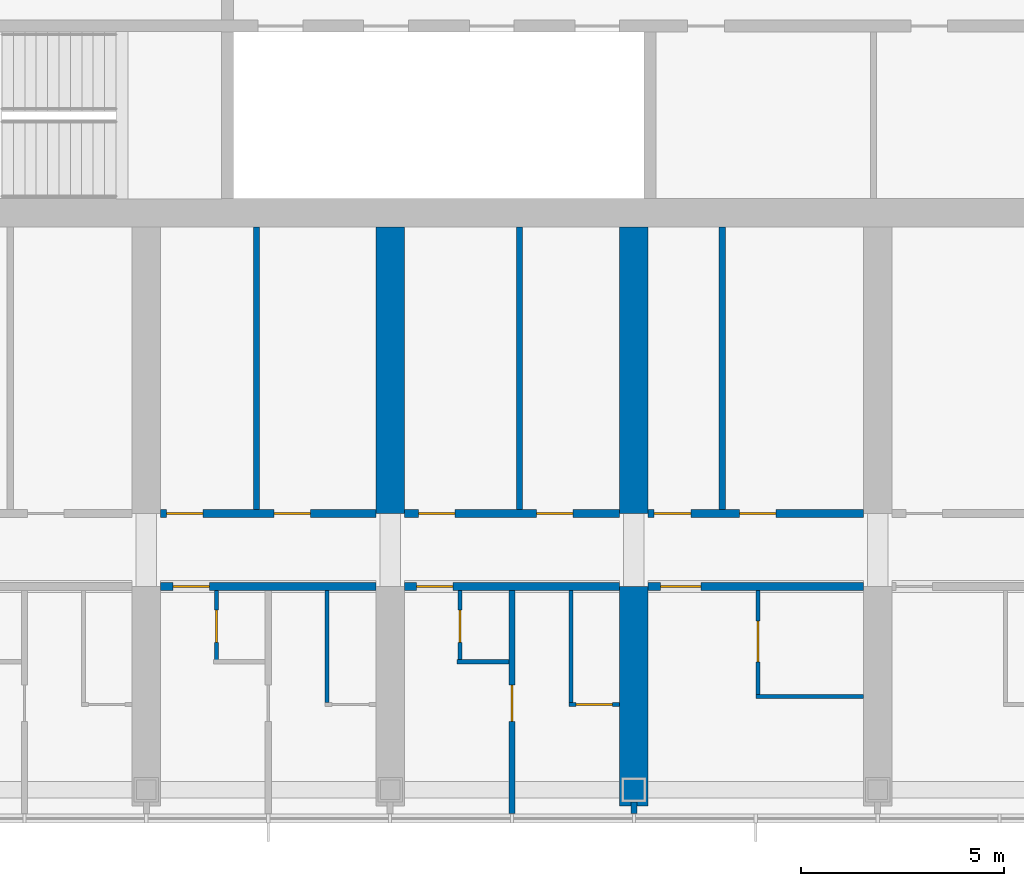
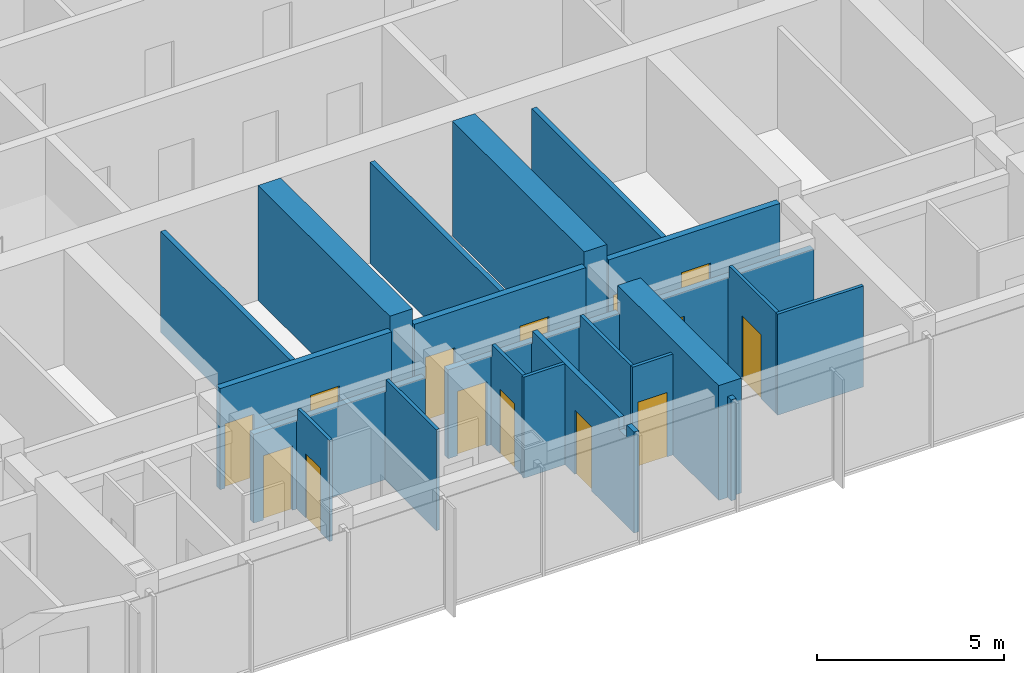
# One storey, part 11 of 24: 22 walls, 14 doors, 14 openings.
"""IFC4 building model written with IfcOpenShell, lengths in metres."""

import ifcopenshell
import ifcopenshell.guid

model = None  # the IFC model being written
_history = None  # IfcOwnerHistory: only IFC2X3 demands one
_inside = {}  # id of a spatial element -> (the spatial element, [elements in it])
_under = {}  # id of a project, library or spatial element -> (it, [spatial elements below it])
_declared = {}  # id of a project -> (the project, [libraries it declares])
_typed = {}  # id of a type object -> (the type object, [elements of that type])
_made_of = {}  # id of a material, layer set ... -> (it, [elements and type objects made of it])


def new_model(schema):
    """Start an empty IFC model of exactly this schema.

    Asked for "IFC4X3", IfcOpenShell would pick the latest addendum, in which some entities
    have other attributes; the version numbers below select the first issue.
    IFC2X3 requires an IfcOwnerHistory on every rooted entity: one is made here for all.
    """
    global model, _history
    if schema == "IFC4X3":
        model = ifcopenshell.file(schema_version=(4, 3, 0, 0))
    else:
        model = ifcopenshell.file(schema=schema)
    _inside.clear()
    _under.clear()
    _declared.clear()
    _typed.clear()
    _made_of.clear()
    _history = None
    if model.schema == "IFC2X3":
        org = make("IfcOrganization", Name="unknown")
        user = make(
            "IfcPersonAndOrganization",
            ThePerson=make("IfcPerson", FamilyName="unknown"),
            TheOrganization=org,
        )
        app = make(
            "IfcApplication",
            ApplicationDeveloper=org,
            Version="unknown",
            ApplicationFullName="unknown",
            ApplicationIdentifier="unknown",
        )
        _history = make(
            "IfcOwnerHistory",
            OwningUser=user,
            OwningApplication=app,
            ChangeAction="ADDED",
            CreationDate=0,
        )
    return model


def make(cls, **values):
    """One entity of the class cls with the attributes given. An attribute that is None is left unset."""
    return model.create_entity(
        cls, **{name: value for name, value in values.items() if value is not None}
    )


def rooted(cls, **values):
    """An entity with a GlobalId (a new one), such as an element, a storey or a relation."""
    return make(cls, GlobalId=ifcopenshell.guid.new(), OwnerHistory=_history, **values)


def si_unit(unit_type, name, prefix=None):
    """IfcSIUnit, for example si_unit("LENGTHUNIT", "METRE", prefix="MILLI")."""
    return make("IfcSIUnit", UnitType=unit_type, Prefix=prefix, Name=name)


def assignment(units):
    """IfcUnitAssignment: the units of a project."""
    return None if units is None else make("IfcUnitAssignment", Units=units)


def point(xyz):
    """IfcCartesianPoint."""
    return None if xyz is None else make("IfcCartesianPoint", Coordinates=xyz)


def direction(xyz):
    """IfcDirection."""
    return None if xyz is None else make("IfcDirection", DirectionRatios=xyz)


def frame(location, z_axis=None, x_axis=None):
    """IfcAxis2Placement3D, a coordinate frame: its origin and axes. An axis left out is left unset."""
    return make(
        "IfcAxis2Placement3D",
        Location=point(location),
        Axis=direction(z_axis),
        RefDirection=direction(x_axis),
    )


def frame_2d(location, x_axis=None):
    """IfcAxis2Placement2D, a coordinate frame in the plane: its origin and x axis."""
    return make(
        "IfcAxis2Placement2D", Location=point(location), RefDirection=direction(x_axis)
    )


def origin():
    """The frame at (0, 0, 0) with its axes left unset."""
    return frame((0.0, 0.0, 0.0))


def place(relative_to, where):
    """IfcLocalPlacement: puts the frame where relative to a parent placement (None: the world)."""
    return make(
        "IfcLocalPlacement", PlacementRelTo=relative_to, RelativePlacement=where
    )


def context(
    kind, dimensions, precision=None, world=None, true_north=None, identifier=None
):
    """IfcGeometricRepresentationContext, for example the 3D "Model" context."""
    return make(
        "IfcGeometricRepresentationContext",
        ContextIdentifier=identifier,
        ContextType=kind,
        CoordinateSpaceDimension=dimensions,
        Precision=precision,
        WorldCoordinateSystem=world,
        TrueNorth=true_north,
    )


def subcontext(parent, identifier, kind, view, scale=None):
    """IfcGeometricRepresentationSubContext, for example "Body" below "Model"."""
    return make(
        "IfcGeometricRepresentationSubContext",
        ContextIdentifier=identifier,
        ContextType=kind,
        ParentContext=parent,
        TargetScale=scale,
        TargetView=view,
    )


def project(units=None, contexts=None):
    """IfcProject with its units and contexts."""
    return rooted(
        "IfcProject",
        Name="project",
        RepresentationContexts=contexts,
        UnitsInContext=assignment(units),
    )


def spatial(cls, under=None, at=None, **own):
    """A site, building, storey or space (cls), placed at a placement, below another one or the project."""
    s = rooted(cls, ObjectPlacement=at, **own)
    if under is not None:
        _under.setdefault(under.id(), (under, []))[1].append(s)
    return s


def polyline(points):
    """IfcPolyline through the points."""
    return make("IfcPolyline", Points=[point(p) for p in points])


def profile(cls, at=None, kind="AREA", **sizes):
    """A parametric profile (cls). Its sizes go by their IFC names, for example OverallWidth=200.0."""
    return make(cls, ProfileType=kind, Position=at, **sizes)


def rectangle(**sizes):
    """IfcRectangleProfileDef."""
    return profile("IfcRectangleProfileDef", **sizes)


def outline(outer, holes=None, kind="AREA"):
    """IfcArbitraryClosedProfileDef: a profile drawn as a closed curve; with holes, ...WithVoids."""
    if holes is None:
        return make("IfcArbitraryClosedProfileDef", ProfileType=kind, OuterCurve=outer)
    return make(
        "IfcArbitraryProfileDefWithVoids",
        ProfileType=kind,
        OuterCurve=outer,
        InnerCurves=holes,
    )


def extrude(swept, where, along, depth):
    """IfcExtrudedAreaSolid: the profile swept, set in the frame where, extruded along a direction by depth."""
    return make(
        "IfcExtrudedAreaSolid",
        SweptArea=swept,
        Position=where,
        ExtrudedDirection=direction(along),
        Depth=depth,
    )


def shape(context_of_items, identifier, shape_type, items):
    """IfcShapeRepresentation: the items that make up one representation, for example the "Body"."""
    return make(
        "IfcShapeRepresentation",
        ContextOfItems=context_of_items,
        RepresentationIdentifier=identifier,
        RepresentationType=shape_type,
        Items=items,
    )


def material(Name=None, Category=None):
    """IfcMaterial."""
    return make("IfcMaterial", Name=Name, Category=Category)


def layer(
    of_material, thickness, ventilated=None, Name=None, Category=None, Priority=None
):
    """IfcMaterialLayer: one layer of a wall or slab, of a material (None: an air gap)."""
    return make(
        "IfcMaterialLayer",
        Material=of_material,
        LayerThickness=thickness,
        IsVentilated=ventilated,
        Name=Name,
        Category=Category,
        Priority=Priority,
    )


def layer_set(layers, Name=None):
    """IfcMaterialLayerSet."""
    return make("IfcMaterialLayerSet", MaterialLayers=layers, LayerSetName=Name)


def made_of(thing, what):
    """Note that an element or type object is made of a material, layer set ...; save() writes the relation."""
    if what is not None:
        _made_of.setdefault(what.id(), (what, []))[1].append(thing)
    return thing


def type_object(cls, material=None, **own):
    """A type object (cls), such as IfcWallType, which elements share."""
    return made_of(rooted(cls, **own), material)


def element(
    cls,
    number,
    at=None,
    inside=None,
    cuts=None,
    type_object=None,
    material=None,
    context=None,
    identifier="Body",
    shape_type=None,
    held_by="IfcProductDefinitionShape",
    body=None,
    shapes=None,
    **own,
):
    """One element of the class cls, such as IfcWall. Its Tag is "e" and its number.

    at: its placement. inside: the storey or other place that contains it. cuts: it is an
    opening in that element (IfcRelVoidsElement). A single representation is given by context,
    identifier, shape_type and body (its items); several are given by shapes. held_by: the class
    of the entity that holds the representations. save() writes the other relations.
    """
    e = rooted(cls, Tag="e%d" % number, ObjectPlacement=at, **own)
    if body is not None:
        shapes = [shape(context, identifier, shape_type, body)]
    if shapes is not None:
        e.Representation = make(held_by, Representations=shapes)
    if inside is not None:
        _inside.setdefault(inside.id(), (inside, []))[1].append(e)
    if cuts is not None:
        rooted(
            "IfcRelVoidsElement", RelatingBuildingElement=cuts, RelatedOpeningElement=e
        )
    if type_object is not None:
        _typed.setdefault(type_object.id(), (type_object, []))[1].append(e)
    return made_of(e, material)


def fill(opening, filler):
    """IfcRelFillsElement: the door or window that sits in an opening."""
    return rooted(
        "IfcRelFillsElement",
        RelatingOpeningElement=opening,
        RelatedBuildingElement=filler,
    )


def aggregate(whole, parts):
    """IfcRelAggregates: a whole, such as a stair, and the parts it consists of."""
    return rooted("IfcRelAggregates", RelatingObject=whole, RelatedObjects=parts)


def save(model, path):
    """Write the relations noted so far, then the file.

    IfcRelAggregates (storeys below a building ...), IfcRelContainedInSpatialStructure (elements
    in a storey), IfcRelDefinesByType, IfcRelAssociatesMaterial and IfcRelDeclares: one each for
    every whole, place, type object, material and project.
    """
    for whole, parts in _under.values():
        aggregate(whole, parts)
    for where, things in _inside.values():
        rooted(
            "IfcRelContainedInSpatialStructure",
            RelatedElements=things,
            RelatingStructure=where,
        )
    for kind, things in _typed.values():
        rooted("IfcRelDefinesByType", RelatedObjects=things, RelatingType=kind)
    for what, things in _made_of.values():
        rooted("IfcRelAssociatesMaterial", RelatedObjects=things, RelatingMaterial=what)
    for by, libraries in _declared.values():
        rooted("IfcRelDeclares", RelatingContext=by, RelatedDefinitions=libraries)
    model.write(path)


model = new_model("IFC4")

# Units and contexts
model_context = context("Model", 3, precision=1e-05, world=origin(), true_north=direction((0.0, 1.0)))
body_context = subcontext(model_context, "Body", "Model", "MODEL_VIEW")
ifc_project = project(units=[si_unit("LENGTHUNIT", "METRE"), si_unit("AREAUNIT", "SQUARE_METRE"), si_unit("VOLUMEUNIT", "CUBIC_METRE"), si_unit("PLANEANGLEUNIT", "RADIAN"), si_unit("MASSUNIT", "GRAM", prefix="KILO")], contexts=[model_context])

# Site, building, storey
site_placement = place(None, origin())
site = spatial("IfcSite", under=ifc_project, at=site_placement, CompositionType="ELEMENT")
building_placement = place(site_placement, origin())
building = spatial("IfcBuilding", under=site, at=building_placement, Name="Orbita Commons", CompositionType="ELEMENT")
storey_placement = place(building_placement, frame((0.0, 0.0, 242.800048828125)))
storey = spatial("IfcBuildingStorey", under=building, at=storey_placement, Name="L60", CompositionType="ELEMENT", Elevation=242.800048828125)

# Wall, opening, door
ifc_material_1 = material(Name="Concrete blockwork", Category="masonry")
ifc_layer_1 = layer(ifc_material_1, 0.199951171875)
ifc_layer_set_1 = layer_set([ifc_layer_1], Name="Concrete blockwork")
wall_type_1 = type_object("IfcWallType", Name="Corridor wall 200 blockwork", PredefinedType="SOLIDWALL", material=ifc_layer_set_1)
wall_1_placement = place(storey_placement, frame((24.35009765625, 16.60009765625, 0.0), z_axis=(0.0, 0.0, 1.0), x_axis=(1.0, 0.0, 0.0)))
wall_1 = element("IfcWall", 1, at=wall_1_placement, inside=storey, type_object=wall_type_1, Name="Corridor wall 200 blockwork L60", PredefinedType="SOLIDWALL", context=body_context, shape_type="SweptSolid", body=[
    extrude(outline(polyline([(0.0, 0.0), (5.2998046875, 0.0), (5.300048828125, 2.89990234375), (0.0, 2.89990234375), (0.0, 0.0)])), frame((0.0, 0.10009765625, 0.0), z_axis=(0.0, -1.0, 0.0), x_axis=(1.0, 0.0, 0.0)), (0.0, 0.0, 1.0), 0.199951171875),
])
opening_1_placement = place(wall_1_placement, frame((0.300048828125, 0.0, 0.0)))
opening_1 = element("IfcOpeningElement", 2, at=opening_1_placement, cuts=wall_1, Name="Opening D11", PredefinedType="OPENING", context=body_context, shape_type="SweptSolid", body=[
    extrude(rectangle(XDim=0.89990234375, YDim=2.10009765625, at=frame_2d((0.449951171875, 1.050048828125))), frame((0.0, 0.10986328125, 0.0), z_axis=(0.0, -1.0, 0.0), x_axis=(1.0, 0.0, 0.0)), (0.0, 0.0, 1.0), 0.219970703125),
])
ifc_material_2 = material(Name="Steel-faced fire door leaf", Category="steel")
door_type_1 = type_object("IfcDoorType", Name="Corridor door 20 min 900x2100", OperationType="SINGLE_SWING_LEFT", PredefinedType="DOOR", material=ifc_material_2)
door_1_placement = place(opening_1_placement, origin())
door_1 = element("IfcDoor", 3, at=door_1_placement, inside=storey, type_object=door_type_1, Name="Guest suite sitting room and kitchenette L60-S02 entrance door", OperationType="SINGLE_SWING_LEFT", OverallHeight=2.10009765625, OverallWidth=0.89990234375, PredefinedType="DOOR", context=body_context, shape_type="SweptSolid", body=[
    extrude(rectangle(XDim=0.89990234375, YDim=2.10009765625, at=frame_2d((0.449951171875, 1.050048828125))), frame((0.0, 0.02490234375, 0.0), z_axis=(0.0, -1.0, 0.0), x_axis=(1.0, 0.0, 0.0)), (0.0, 0.0, 1.0), 0.050048828125),
])
fill(opening_1, door_1)

wall_2_placement = place(storey_placement, frame((30.35009765625, 16.60009765625, 0.0), z_axis=(0.0, 0.0, 1.0), x_axis=(1.0, 0.0, 0.0)))
wall_2 = element("IfcWall", 4, at=wall_2_placement, inside=storey, type_object=wall_type_1, Name="Corridor wall 200 blockwork L60", PredefinedType="SOLIDWALL", context=body_context, shape_type="SweptSolid", body=[
    extrude(outline(polyline([(0.0, 0.0), (5.2998046875, 0.0), (5.300048828125, 2.89990234375), (0.0, 2.89990234375), (0.0, 0.0)])), frame((0.0, 0.10009765625, 0.0), z_axis=(0.0, -1.0, 0.0), x_axis=(1.0, 0.0, 0.0)), (0.0, 0.0, 1.0), 0.199951171875),
])
opening_2_placement = place(wall_2_placement, frame((0.300048828125, 0.0, 0.0)))
opening_2 = element("IfcOpeningElement", 5, at=opening_2_placement, cuts=wall_2, Name="Opening D11", PredefinedType="OPENING", context=body_context, shape_type="SweptSolid", body=[
    extrude(rectangle(XDim=0.89990234375, YDim=2.10009765625, at=frame_2d((0.449951171875, 1.050048828125))), frame((0.0, 0.10986328125, 0.0), z_axis=(0.0, -1.0, 0.0), x_axis=(1.0, 0.0, 0.0)), (0.0, 0.0, 1.0), 0.219970703125),
])
door_2_placement = place(opening_2_placement, origin())
door_2 = element("IfcDoor", 6, at=door_2_placement, inside=storey, type_object=door_type_1, Name="Guest suite sitting room and kitchenette L60-S04 entrance door", OperationType="SINGLE_SWING_LEFT", OverallHeight=2.10009765625, OverallWidth=0.89990234375, PredefinedType="DOOR", context=body_context, shape_type="SweptSolid", body=[
    extrude(rectangle(XDim=0.89990234375, YDim=2.10009765625, at=frame_2d((0.449951171875, 1.050048828125))), frame((0.0, 0.02490234375, 0.0), z_axis=(0.0, -1.0, 0.0), x_axis=(1.0, 0.0, 0.0)), (0.0, 0.0, 1.0), 0.050048828125),
])
fill(opening_2, door_2)

wall_3_placement = place(storey_placement, frame((36.35009765625, 16.60009765625, 0.0), z_axis=(0.0, 0.0, 1.0), x_axis=(1.0, 0.0, 0.0)))
wall_3 = element("IfcWall", 7, at=wall_3_placement, inside=storey, type_object=wall_type_1, Name="Corridor wall 200 blockwork L60", PredefinedType="SOLIDWALL", context=body_context, shape_type="SweptSolid", body=[
    extrude(outline(polyline([(0.0, 0.0), (5.2998046875, 0.0), (5.300048828125, 2.89990234375), (0.0, 2.89990234375), (0.0, 0.0)])), frame((0.0, 0.10009765625, 0.0), z_axis=(0.0, -1.0, 0.0), x_axis=(1.0, 0.0, 0.0)), (0.0, 0.0, 1.0), 0.199951171875),
])
opening_3_placement = place(wall_3_placement, frame((0.300048828125, 0.0, 0.0)))
opening_3 = element("IfcOpeningElement", 8, at=opening_3_placement, cuts=wall_3, Name="Opening D06", PredefinedType="OPENING", context=body_context, shape_type="SweptSolid", body=[
    extrude(rectangle(XDim=1.0, YDim=2.10009765625, at=frame_2d((0.5, 1.050048828125))), frame((0.0, 0.10986328125, 0.0), z_axis=(0.0, -1.0, 0.0), x_axis=(1.0, 0.0, 0.0)), (0.0, 0.0, 1.0), 0.219970703125),
])
ifc_material_3 = material(Name="Steel-faced fire door leaf", Category="steel")
door_type_2 = type_object("IfcDoorType", Name="Corridor door 20 min 1000x2100", OperationType="SINGLE_SWING_LEFT", PredefinedType="DOOR", material=ifc_material_3)
door_3_placement = place(opening_3_placement, origin())
door_3 = element("IfcDoor", 9, at=door_3_placement, inside=storey, type_object=door_type_2, Name="Accessible bedroom L60-S06 door", OperationType="SINGLE_SWING_LEFT", OverallHeight=2.10009765625, OverallWidth=1.0, PredefinedType="DOOR", context=body_context, shape_type="SweptSolid", body=[
    extrude(rectangle(XDim=1.0, YDim=2.10009765625, at=frame_2d((0.5, 1.050048828125))), frame((0.0, 0.02490234375, 0.0), z_axis=(0.0, -1.0, 0.0), x_axis=(1.0, 0.0, 0.0)), (0.0, 0.0, 1.0), 0.050048828125),
])
fill(opening_3, door_3)

# Wall, openings, doors
ifc_material_4 = material(Name="Hollow concrete block 200", Category="concrete")
ifc_layer_2 = layer(ifc_material_4, 0.199951171875)
ifc_layer_set_2 = layer_set([ifc_layer_2], Name="Hollow concrete block 200")
wall_type_2 = type_object("IfcWallType", Name="Corridor wall 200 hollow concrete block", PredefinedType="SOLIDWALL", material=ifc_layer_set_2)
wall_4_placement = place(storey_placement, frame((24.35009765625, 18.39990234375, 0.0), z_axis=(0.0, 0.0, 1.0), x_axis=(1.0, 0.0, 0.0)))
wall_4 = element("IfcWall", 10, at=wall_4_placement, inside=storey, type_object=wall_type_2, Name="Corridor wall 200 hollow concrete block L60", PredefinedType="SOLIDWALL", context=body_context, shape_type="SweptSolid", body=[
    extrude(rectangle(XDim=5.2998046875, YDim=0.199951171875, at=frame_2d((2.64990234375, 0.0))), origin(), (0.0, 0.0, 1.0), 3.300048828125),
])
opening_4_placement = place(wall_4_placement, frame((0.14990234375, 0.0, 0.0)))
opening_4 = element("IfcOpeningElement", 11, at=opening_4_placement, cuts=wall_4, Name="Opening D11", PredefinedType="OPENING", context=body_context, shape_type="SweptSolid", body=[
    extrude(rectangle(XDim=0.89990234375, YDim=2.10009765625, at=frame_2d((0.449951171875, 1.050048828125))), frame((0.0, 0.10986328125, 0.0), z_axis=(0.0, -1.0, 0.0), x_axis=(1.0, 0.0, 0.0)), (0.0, 0.0, 1.0), 0.219970703125),
])
opening_5_placement = place(wall_4_placement, frame((2.7900390625, 0.0, 0.0)))
opening_5 = element("IfcOpeningElement", 12, at=opening_5_placement, cuts=wall_4, Name="Opening D11", PredefinedType="OPENING", context=body_context, shape_type="SweptSolid", body=[
    extrude(rectangle(XDim=0.89990234375, YDim=2.10009765625, at=frame_2d((0.449951171875, 1.050048828125))), frame((0.0, 0.10986328125, 0.0), z_axis=(0.0, -1.0, 0.0), x_axis=(1.0, 0.0, 0.0)), (0.0, 0.0, 1.0), 0.219970703125),
])
door_4_placement = place(opening_4_placement, origin())
door_4 = element("IfcDoor", 13, at=door_4_placement, inside=storey, type_object=door_type_1, Name="Water heater cupboard L60-BDS24n door", OperationType="SINGLE_SWING_LEFT", OverallHeight=2.10009765625, OverallWidth=0.89990234375, PredefinedType="DOOR", context=body_context, shape_type="SweptSolid", body=[
    extrude(rectangle(XDim=0.89990234375, YDim=2.10009765625, at=frame_2d((0.449951171875, 1.050048828125))), frame((0.0, 0.02490234375, 0.0), z_axis=(0.0, -1.0, 0.0), x_axis=(1.0, 0.0, 0.0)), (0.0, 0.0, 1.0), 0.050048828125),
])
fill(opening_4, door_4)
door_5_placement = place(opening_5_placement, origin())
door_5 = element("IfcDoor", 14, at=door_5_placement, inside=storey, type_object=door_type_1, Name="Meeting room L60-BDS24 door", OperationType="SINGLE_SWING_LEFT", OverallHeight=2.10009765625, OverallWidth=0.89990234375, PredefinedType="DOOR", context=body_context, shape_type="SweptSolid", body=[
    extrude(rectangle(XDim=0.89990234375, YDim=2.10009765625, at=frame_2d((0.449951171875, 1.050048828125))), frame((0.0, 0.02490234375, 0.0), z_axis=(0.0, -1.0, 0.0), x_axis=(1.0, 0.0, 0.0)), (0.0, 0.0, 1.0), 0.050048828125),
])
fill(opening_5, door_5)

wall_5_placement = place(storey_placement, frame((30.35009765625, 18.39990234375, 0.0), z_axis=(0.0, 0.0, 1.0), x_axis=(1.0, 0.0, 0.0)))
wall_5 = element("IfcWall", 15, at=wall_5_placement, inside=storey, type_object=wall_type_2, Name="Corridor wall 200 hollow concrete block L60", PredefinedType="SOLIDWALL", context=body_context, shape_type="SweptSolid", body=[
    extrude(rectangle(XDim=5.2998046875, YDim=0.199951171875, at=frame_2d((2.64990234375, 0.0))), origin(), (0.0, 0.0, 1.0), 3.300048828125),
])
opening_6_placement = place(wall_5_placement, frame((0.35009765625, 0.0, 0.0)))
opening_6 = element("IfcOpeningElement", 16, at=opening_6_placement, cuts=wall_5, Name="Opening D11", PredefinedType="OPENING", context=body_context, shape_type="SweptSolid", body=[
    extrude(rectangle(XDim=0.89990234375, YDim=2.10009765625, at=frame_2d((0.449951171875, 1.050048828125))), frame((0.0, 0.10986328125, 0.0), z_axis=(0.0, -1.0, 0.0), x_axis=(1.0, 0.0, 0.0)), (0.0, 0.0, 1.0), 0.219970703125),
])
opening_7_placement = place(wall_5_placement, frame((3.2548828125, 0.0, 0.0)))
opening_7 = element("IfcOpeningElement", 17, at=opening_7_placement, cuts=wall_5, Name="Opening D11", PredefinedType="OPENING", context=body_context, shape_type="SweptSolid", body=[
    extrude(rectangle(XDim=0.89990234375, YDim=2.10009765625, at=frame_2d((0.449951171875, 1.050048828125))), frame((0.0, 0.10986328125, 0.0), z_axis=(0.0, -1.0, 0.0), x_axis=(1.0, 0.0, 0.0)), (0.0, 0.0, 1.0), 0.219970703125),
])
door_6_placement = place(opening_6_placement, origin())
door_6 = element("IfcDoor", 18, at=door_6_placement, inside=storey, type_object=door_type_1, Name="Equipment store L60-BDS30n door", OperationType="SINGLE_SWING_LEFT", OverallHeight=2.10009765625, OverallWidth=0.89990234375, PredefinedType="DOOR", context=body_context, shape_type="SweptSolid", body=[
    extrude(rectangle(XDim=0.89990234375, YDim=2.10009765625, at=frame_2d((0.449951171875, 1.050048828125))), frame((0.0, 0.02490234375, 0.0), z_axis=(0.0, -1.0, 0.0), x_axis=(1.0, 0.0, 0.0)), (0.0, 0.0, 1.0), 0.050048828125),
])
fill(opening_6, door_6)
door_7_placement = place(opening_7_placement, origin())
door_7 = element("IfcDoor", 19, at=door_7_placement, inside=storey, type_object=door_type_1, Name="Board room L60-BDS30 door", OperationType="SINGLE_SWING_LEFT", OverallHeight=2.10009765625, OverallWidth=0.89990234375, PredefinedType="DOOR", context=body_context, shape_type="SweptSolid", body=[
    extrude(rectangle(XDim=0.89990234375, YDim=2.10009765625, at=frame_2d((0.449951171875, 1.050048828125))), frame((0.0, 0.02490234375, 0.0), z_axis=(0.0, -1.0, 0.0), x_axis=(1.0, 0.0, 0.0)), (0.0, 0.0, 1.0), 0.050048828125),
])
fill(opening_7, door_7)

wall_6_placement = place(storey_placement, frame((36.35009765625, 18.39990234375, 0.0), z_axis=(0.0, 0.0, 1.0), x_axis=(1.0, 0.0, 0.0)))
wall_6 = element("IfcWall", 20, at=wall_6_placement, inside=storey, type_object=wall_type_2, Name="Corridor wall 200 hollow concrete block L60", PredefinedType="SOLIDWALL", context=body_context, shape_type="SweptSolid", body=[
    extrude(rectangle(XDim=5.2998046875, YDim=0.199951171875, at=frame_2d((2.64990234375, 0.0))), origin(), (0.0, 0.0, 1.0), 3.300048828125),
])
opening_8_placement = place(wall_6_placement, frame((0.14990234375, 0.0, 0.0)))
opening_8 = element("IfcOpeningElement", 21, at=opening_8_placement, cuts=wall_6, Name="Opening D11", PredefinedType="OPENING", context=body_context, shape_type="SweptSolid", body=[
    extrude(rectangle(XDim=0.89990234375, YDim=2.10009765625, at=frame_2d((0.449951171875, 1.050048828125))), frame((0.0, 0.10986328125, 0.0), z_axis=(0.0, -1.0, 0.0), x_axis=(1.0, 0.0, 0.0)), (0.0, 0.0, 1.0), 0.219970703125),
])
opening_9_placement = place(wall_6_placement, frame((2.25, 0.0, 0.0)))
opening_9 = element("IfcOpeningElement", 22, at=opening_9_placement, cuts=wall_6, Name="Opening D11", PredefinedType="OPENING", context=body_context, shape_type="SweptSolid", body=[
    extrude(rectangle(XDim=0.89990234375, YDim=2.10009765625, at=frame_2d((0.449951171875, 1.050048828125))), frame((0.0, 0.10986328125, 0.0), z_axis=(0.0, -1.0, 0.0), x_axis=(1.0, 0.0, 0.0)), (0.0, 0.0, 1.0), 0.219970703125),
])
door_8_placement = place(opening_8_placement, origin())
door_8 = element("IfcDoor", 23, at=door_8_placement, inside=storey, type_object=door_type_1, Name="Luggage store L60-BDS36n door", OperationType="SINGLE_SWING_LEFT", OverallHeight=2.10009765625, OverallWidth=0.89990234375, PredefinedType="DOOR", context=body_context, shape_type="SweptSolid", body=[
    extrude(rectangle(XDim=0.89990234375, YDim=2.10009765625, at=frame_2d((0.449951171875, 1.050048828125))), frame((0.0, 0.02490234375, 0.0), z_axis=(0.0, -1.0, 0.0), x_axis=(1.0, 0.0, 0.0)), (0.0, 0.0, 1.0), 0.050048828125),
])
fill(opening_8, door_8)
door_9_placement = place(opening_9_placement, origin())
door_9 = element("IfcDoor", 24, at=door_9_placement, inside=storey, type_object=door_type_1, Name="Parcel and post room L60-BDS36 door", OperationType="SINGLE_SWING_LEFT", OverallHeight=2.10009765625, OverallWidth=0.89990234375, PredefinedType="DOOR", context=body_context, shape_type="SweptSolid", body=[
    extrude(rectangle(XDim=0.89990234375, YDim=2.10009765625, at=frame_2d((0.449951171875, 1.050048828125))), frame((0.0, 0.02490234375, 0.0), z_axis=(0.0, -1.0, 0.0), x_axis=(1.0, 0.0, 0.0)), (0.0, 0.0, 1.0), 0.050048828125),
])
fill(opening_9, door_9)

# Walls
ifc_material_5 = material(Name="Concrete C50/60", Category="concrete")
ifc_layer_3 = layer(ifc_material_5, 0.699951171875)
ifc_layer_set_3 = layer_set([ifc_layer_3], Name="Concrete C50/60")
wall_type_3 = type_object("IfcWallType", Name="Cross wall 700 C50/60", PredefinedType="SHEAR", material=ifc_layer_set_3)
wall_7_placement = place(storey_placement, frame((30.0, 18.39990234375, 0.0), z_axis=(0.0, 0.0, 1.0), x_axis=(0.0, 1.0, 0.0)))
element("IfcWall", 25, at=wall_7_placement, inside=storey, type_object=wall_type_3, Name="Cross wall 6 south inner L60", PredefinedType="SHEAR", context=body_context, shape_type="SweptSolid", body=[
    extrude(rectangle(XDim=7.050048828125, YDim=0.699951171875, at=frame_2d((3.52490234375, 0.0))), origin(), (0.0, 0.0, 1.0), 3.75),
])
wall_8_placement = place(storey_placement, frame((36.0, 11.199951171875, 0.0), z_axis=(0.0, 0.0, 1.0), x_axis=(0.0, 1.0, 0.0)))
element("IfcWall", 26, at=wall_8_placement, inside=storey, type_object=wall_type_3, Name="Cross wall 7 south outer L60", PredefinedType="SHEAR", context=body_context, shape_type="SweptSolid", body=[
    extrude(rectangle(XDim=5.400146484375, YDim=0.699951171875, at=frame_2d((2.7001953125, 0.0))), origin(), (0.0, 0.0, 1.0), 3.75),
])
wall_9_placement = place(storey_placement, frame((36.0, 18.39990234375, 0.0), z_axis=(0.0, 0.0, 1.0), x_axis=(0.0, 1.0, 0.0)))
element("IfcWall", 27, at=wall_9_placement, inside=storey, type_object=wall_type_3, Name="Cross wall 7 south inner L60", PredefinedType="SHEAR", context=body_context, shape_type="SweptSolid", body=[
    extrude(rectangle(XDim=7.050048828125, YDim=0.699951171875, at=frame_2d((3.52490234375, 0.0))), origin(), (0.0, 0.0, 1.0), 3.75),
])
ifc_material_6 = material(Name="Moisture-resistant plasterboard on steel studs", Category="steel")
ifc_layer_4 = layer(ifc_material_6, 0.10009765625)
ifc_layer_set_4 = layer_set([ifc_layer_4], Name="Moisture-resistant plasterboard on steel studs")
wall_type_4 = type_object("IfcWallType", Name="En-suite partition 100", PredefinedType="PARTITIONING", material=ifc_layer_set_4)
wall_10_placement = place(storey_placement, frame((28.449951171875, 13.75, 0.0), z_axis=(0.0, 0.0, 1.0), x_axis=(0.0, 1.0, 0.0)))
element("IfcWall", 28, at=wall_10_placement, inside=storey, type_object=wall_type_4, Name="En-suite partition 100 L60", PredefinedType="PARTITIONING", context=body_context, shape_type="SweptSolid", body=[
    extrude(outline(polyline([(0.0, 0.0), (2.75, 0.0), (2.75, 2.89990234375), (2.701904296875, 2.89990234375), (2.699951171875, 3.300048828125), (0.0, 3.300048828125), (0.0, 0.0)])), frame((0.0, 0.050048828125, 0.0), z_axis=(0.0, -1.0, 0.0), x_axis=(1.0, 0.0, 0.0)), (0.0, 0.0, 1.0), 0.10009765625),
])

# Wall, opening, door
wall_11_placement = place(storey_placement, frame((25.72509765625, 14.75, 0.0), z_axis=(0.0, 0.0, 1.0), x_axis=(0.0, 1.0, 0.0)))
wall_11 = element("IfcWall", 29, at=wall_11_placement, inside=storey, type_object=wall_type_4, Name="En-suite partition 100 L60", PredefinedType="PARTITIONING", context=body_context, shape_type="SweptSolid", body=[
    extrude(outline(polyline([(0.0, 0.0), (1.75, 0.0), (1.75, 2.89990234375), (1.701904296875, 2.89990234375), (1.699951171875, 3.300048828125), (0.0, 3.300048828125), (0.0, 0.0)])), frame((0.0, 0.050048828125, 0.0), z_axis=(0.0, -1.0, 0.0), x_axis=(1.0, 0.0, 0.0)), (0.0, 0.0, 1.0), 0.10009765625),
])
opening_10_placement = place(wall_11_placement, frame((0.47509765625, 0.0, 0.0)))
opening_10 = element("IfcOpeningElement", 30, at=opening_10_placement, cuts=wall_11, Name="Opening D16", PredefinedType="OPENING", context=body_context, shape_type="SweptSolid", body=[
    extrude(rectangle(XDim=0.800048828125, YDim=2.10009765625, at=frame_2d((0.39990234375, 1.050048828125))), frame((0.0, 0.06005859375, 0.0), z_axis=(0.0, -1.0, 0.0), x_axis=(1.0, 0.0, 0.0)), (0.0, 0.0, 1.0), 0.1201171875),
])
ifc_material_7 = material(Name="Laminated timber door leaf", Category="wood")
door_type_3 = type_object("IfcDoorType", Name="En-suite door 800x2100", OperationType="SINGLE_SWING_RIGHT", PredefinedType="DOOR", material=ifc_material_7)
door_10_placement = place(opening_10_placement, origin())
door_10 = element("IfcDoor", 31, at=door_10_placement, inside=storey, type_object=door_type_3, Name="Guest suite WC L60-S02 door", OperationType="SINGLE_SWING_RIGHT", OverallHeight=2.10009765625, OverallWidth=0.800048828125, PredefinedType="DOOR", context=body_context, shape_type="SweptSolid", body=[
    extrude(rectangle(XDim=0.800048828125, YDim=2.10009765625, at=frame_2d((0.39990234375, 1.050048828125))), frame((0.0, 0.02490234375, 0.0), z_axis=(0.0, -1.0, 0.0), x_axis=(1.0, 0.0, 0.0)), (0.0, 0.0, 1.0), 0.050048828125),
])
fill(opening_10, door_10)

wall_12_placement = place(storey_placement, frame((35.64990234375, 13.699951171875, 0.0), z_axis=(0.0, 0.0, 1.0), x_axis=(-1.0, 0.0, 0.0)))
wall_12 = element("IfcWall", 32, at=wall_12_placement, inside=storey, type_object=wall_type_4, Name="En-suite partition 100 L60", PredefinedType="PARTITIONING", context=body_context, shape_type="SweptSolid", body=[
    extrude(rectangle(XDim=1.25, YDim=0.10009765625, at=frame_2d((0.625, 0.0))), origin(), (0.0, 0.0, 1.0), 3.300048828125),
])
opening_11_placement = place(wall_12_placement, frame((0.175048828125, 0.0, 0.0)))
opening_11 = element("IfcOpeningElement", 33, at=opening_11_placement, cuts=wall_12, Name="Opening D09", PredefinedType="OPENING", context=body_context, shape_type="SweptSolid", body=[
    extrude(rectangle(XDim=0.89990234375, YDim=2.10009765625, at=frame_2d((0.449951171875, 1.050048828125))), frame((0.0, 0.06005859375, 0.0), z_axis=(0.0, -1.0, 0.0), x_axis=(1.0, 0.0, 0.0)), (0.0, 0.0, 1.0), 0.1201171875),
])
ifc_material_8 = material(Name="Laminated timber door leaf", Category="wood")
door_type_4 = type_object("IfcDoorType", Name="En-suite door 900x2100", OperationType="SINGLE_SWING_RIGHT", PredefinedType="DOOR", material=ifc_material_8)
door_11_placement = place(opening_11_placement, origin())
door_11 = element("IfcDoor", 34, at=door_11_placement, inside=storey, type_object=door_type_4, Name="En-suite L60-S05 door", OperationType="SINGLE_SWING_RIGHT", OverallHeight=2.10009765625, OverallWidth=0.89990234375, PredefinedType="DOOR", context=body_context, shape_type="SweptSolid", body=[
    extrude(rectangle(XDim=0.89990234375, YDim=2.10009765625, at=frame_2d((0.449951171875, 1.050048828125))), frame((0.0, 0.02490234375, 0.0), z_axis=(0.0, -1.0, 0.0), x_axis=(1.0, 0.0, 0.0)), (0.0, 0.0, 1.0), 0.050048828125),
])
fill(opening_11, door_11)

# Walls
wall_13_placement = place(storey_placement, frame((34.449951171875, 13.75, 0.0), z_axis=(0.0, 0.0, 1.0), x_axis=(0.0, 1.0, 0.0)))
element("IfcWall", 35, at=wall_13_placement, inside=storey, type_object=wall_type_4, Name="En-suite partition 100 L60", PredefinedType="PARTITIONING", context=body_context, shape_type="SweptSolid", body=[
    extrude(outline(polyline([(0.0, 0.0), (2.75, 0.0), (2.75, 2.89990234375), (2.701904296875, 2.89990234375), (2.699951171875, 3.300048828125), (0.0, 3.300048828125), (0.0, 0.0)])), frame((0.0, 0.050048828125, 0.0), z_axis=(0.0, -1.0, 0.0), x_axis=(1.0, 0.0, 0.0)), (0.0, 0.0, 1.0), 0.10009765625),
])
wall_14_placement = place(storey_placement, frame((31.64990234375, 14.75, 0.0), z_axis=(0.0, 0.0, 1.0), x_axis=(1.0, 0.0, 0.0)))
element("IfcWall", 36, at=wall_14_placement, inside=storey, type_object=wall_type_4, Name="En-suite partition 100 L60", PredefinedType="PARTITIONING", context=body_context, shape_type="SweptSolid", body=[
    extrude(rectangle(XDim=1.275146484375, YDim=0.10009765625, at=frame_2d((0.6376953125, 0.0))), origin(), (0.0, 0.0, 1.0), 3.300048828125),
])

# Wall, opening, door
wall_15_placement = place(storey_placement, frame((31.72509765625, 14.75, 0.0), z_axis=(0.0, 0.0, 1.0), x_axis=(0.0, 1.0, 0.0)))
wall_15 = element("IfcWall", 37, at=wall_15_placement, inside=storey, type_object=wall_type_4, Name="En-suite partition 100 L60", PredefinedType="PARTITIONING", context=body_context, shape_type="SweptSolid", body=[
    extrude(outline(polyline([(0.0, 0.0), (1.75, 0.0), (1.75, 2.89990234375), (1.701904296875, 2.89990234375), (1.699951171875, 3.300048828125), (0.0, 3.300048828125), (0.0, 0.0)])), frame((0.0, 0.050048828125, 0.0), z_axis=(0.0, -1.0, 0.0), x_axis=(1.0, 0.0, 0.0)), (0.0, 0.0, 1.0), 0.10009765625),
])
opening_12_placement = place(wall_15_placement, frame((0.47509765625, 0.0, 0.0)))
opening_12 = element("IfcOpeningElement", 38, at=opening_12_placement, cuts=wall_15, Name="Opening D16", PredefinedType="OPENING", context=body_context, shape_type="SweptSolid", body=[
    extrude(rectangle(XDim=0.800048828125, YDim=2.10009765625, at=frame_2d((0.39990234375, 1.050048828125))), frame((0.0, 0.06005859375, 0.0), z_axis=(0.0, -1.0, 0.0), x_axis=(1.0, 0.0, 0.0)), (0.0, 0.0, 1.0), 0.1201171875),
])
door_12_placement = place(opening_12_placement, origin())
door_12 = element("IfcDoor", 39, at=door_12_placement, inside=storey, type_object=door_type_3, Name="Guest suite WC L60-S04 door", OperationType="SINGLE_SWING_RIGHT", OverallHeight=2.10009765625, OverallWidth=0.800048828125, PredefinedType="DOOR", context=body_context, shape_type="SweptSolid", body=[
    extrude(rectangle(XDim=0.800048828125, YDim=2.10009765625, at=frame_2d((0.39990234375, 1.050048828125))), frame((0.0, 0.02490234375, 0.0), z_axis=(0.0, -1.0, 0.0), x_axis=(1.0, 0.0, 0.0)), (0.0, 0.0, 1.0), 0.050048828125),
])
fill(opening_12, door_12)

# Wall
wall_16_placement = place(storey_placement, frame((39.0, 13.89990234375, 0.0), z_axis=(0.0, 0.0, 1.0), x_axis=(1.0, 0.0, 0.0)))
element("IfcWall", 40, at=wall_16_placement, inside=storey, type_object=wall_type_4, Name="En-suite partition 100 L60", PredefinedType="PARTITIONING", context=body_context, shape_type="SweptSolid", body=[
    extrude(rectangle(XDim=2.64990234375, YDim=0.10009765625, at=frame_2d((1.324951171875, 0.0))), origin(), (0.0, 0.0, 1.0), 3.300048828125),
])

# Wall, opening, door
wall_17_placement = place(storey_placement, frame((39.050048828125, 13.949951171875, 0.0), z_axis=(0.0, 0.0, 1.0), x_axis=(0.0, 1.0, 0.0)))
wall_17 = element("IfcWall", 41, at=wall_17_placement, inside=storey, type_object=wall_type_4, Name="En-suite partition 100 L60", PredefinedType="PARTITIONING", context=body_context, shape_type="SweptSolid", body=[
    extrude(outline(polyline([(0.0, 0.0), (2.550048828125, 0.0), (2.550048828125, 2.89990234375), (2.501953125, 2.89990234375), (2.5, 3.300048828125), (0.0, 3.300048828125), (0.0, 0.0)])), frame((0.0, 0.050048828125, 0.0), z_axis=(0.0, -1.0, 0.0), x_axis=(1.0, 0.0, 0.0)), (0.0, 0.0, 1.0), 0.10009765625),
])
opening_13_placement = place(wall_17_placement, frame((0.800048828125, 0.0, 0.0)))
opening_13 = element("IfcOpeningElement", 42, at=opening_13_placement, cuts=wall_17, Name="Opening D13", PredefinedType="OPENING", context=body_context, shape_type="SweptSolid", body=[
    extrude(rectangle(XDim=1.0, YDim=2.10009765625, at=frame_2d((0.5, 1.050048828125))), frame((0.0, 0.06005859375, 0.0), z_axis=(0.0, -1.0, 0.0), x_axis=(1.0, 0.0, 0.0)), (0.0, 0.0, 1.0), 0.1201171875),
])
ifc_material_9 = material(Name="Laminated timber door leaf", Category="wood")
door_type_5 = type_object("IfcDoorType", Name="En-suite door 1000x2100", OperationType="SINGLE_SWING_RIGHT", PredefinedType="DOOR", material=ifc_material_9)
door_13_placement = place(opening_13_placement, origin())
door_13 = element("IfcDoor", 43, at=door_13_placement, inside=storey, type_object=door_type_5, Name="Accessible shower room L60-S06 door", OperationType="SINGLE_SWING_RIGHT", OverallHeight=2.10009765625, OverallWidth=1.0, PredefinedType="DOOR", context=body_context, shape_type="SweptSolid", body=[
    extrude(rectangle(XDim=1.0, YDim=2.10009765625, at=frame_2d((0.5, 1.050048828125))), frame((0.0, 0.02490234375, 0.0), z_axis=(0.0, -1.0, 0.0), x_axis=(1.0, 0.0, 0.0)), (0.0, 0.0, 1.0), 0.050048828125),
])
fill(opening_13, door_13)

ifc_material_10 = material(Name="Gypsum plasterboard on steel studs", Category="steel")
ifc_layer_5 = layer(ifc_material_10, 0.14990234375)
ifc_layer_set_5 = layer_set([ifc_layer_5], Name="Gypsum plasterboard on steel studs")
wall_type_5 = type_object("IfcWallType", Name="Partition 150 plasterboard", PredefinedType="PARTITIONING", material=ifc_layer_set_5)
wall_18_placement = place(storey_placement, frame((33.0, 11.010009765625, 0.0), z_axis=(0.0, 0.0, 1.0), x_axis=(0.0, 1.0, 0.0)))
wall_18 = element("IfcWall", 44, at=wall_18_placement, inside=storey, type_object=wall_type_5, Name="Partition 150 plasterboard L60", PredefinedType="PARTITIONING", context=body_context, shape_type="SweptSolid", body=[
    extrude(outline(polyline([(0.0, 0.0), (5.489990234375, 0.0), (5.489990234375, 2.89990234375), (5.44189453125, 2.89990234375), (5.43994140625, 3.300048828125), (0.7919921875, 3.300048828125), (0.7900390625, 2.89990234375), (0.39208984375, 2.89990234375), (0.389892578125, 3.300048828125), (0.0, 3.300048828125), (0.0, 0.0)])), frame((0.0, 0.074951171875, 0.0), z_axis=(0.0, -1.0, 0.0), x_axis=(1.0, 0.0, 0.0)), (0.0, 0.0, 1.0), 0.14990234375),
])
opening_14_placement = place(wall_18_placement, frame((2.27001953125, 0.0, 0.0)))
opening_14 = element("IfcOpeningElement", 45, at=opening_14_placement, cuts=wall_18, Name="Opening D09", PredefinedType="OPENING", context=body_context, shape_type="SweptSolid", body=[
    extrude(rectangle(XDim=0.89990234375, YDim=2.10009765625, at=frame_2d((0.449951171875, 1.050048828125))), frame((0.0, 0.0849609375, 0.0), z_axis=(0.0, -1.0, 0.0), x_axis=(1.0, 0.0, 0.0)), (0.0, 0.0, 1.0), 0.169921875),
])
door_14_placement = place(opening_14_placement, origin())
door_14 = element("IfcDoor", 46, at=door_14_placement, inside=storey, type_object=door_type_4, Name="Guest suite bedroom L60-S04 door", OperationType="SINGLE_SWING_RIGHT", OverallHeight=2.10009765625, OverallWidth=0.89990234375, PredefinedType="DOOR", context=body_context, shape_type="SweptSolid", body=[
    extrude(rectangle(XDim=0.89990234375, YDim=2.10009765625, at=frame_2d((0.449951171875, 1.050048828125))), frame((0.0, 0.02490234375, 0.0), z_axis=(0.0, -1.0, 0.0), x_axis=(1.0, 0.0, 0.0)), (0.0, 0.0, 1.0), 0.050048828125),
])
fill(opening_14, door_14)

# Walls
for number, where, z_axis, x_axis, name in (
    (47, (26.715087890625, 18.5, 0.0), (0.0, 0.0, 1.0), (0.0, 1.0, 0.0), "Partition 150 plasterboard L60"),
    (48, (33.179931640625, 18.5, 0.0), (0.0, 0.0, 1.0), (0.0, 1.0, 0.0), "Partition 150 plasterboard L60"),
    (49, (38.175048828125, 18.5, 0.0), (0.0, 0.0, 1.0), (0.0, 1.0, 0.0), "Partition 150 plasterboard L60"),
):
    element("IfcWall", number, at=place(storey_placement, frame(where, z_axis=z_axis, x_axis=x_axis)), inside=storey, type_object=wall_type_5, Name=name, PredefinedType="PARTITIONING", context=body_context, shape_type="SweptSolid", body=[
        extrude(rectangle(XDim=6.949951171875, YDim=0.14990234375, at=frame_2d((3.47509765625, 0.0))), origin(), (0.0, 0.0, 1.0), 3.300048828125),
    ])
wall_19_placement = place(storey_placement, frame((36.0, 11.300048828125, 0.0), z_axis=(0.0, 0.0, 1.0), x_axis=(0.0, -1.0, 0.0)))
element("IfcWall", 50, at=wall_19_placement, inside=storey, type_object=wall_type_5, Name="Partition 150 plasterboard L60", PredefinedType="PARTITIONING", context=body_context, shape_type="SweptSolid", body=[
    extrude(rectangle(XDim=0.2900390625, YDim=0.14990234375, at=frame_2d((0.14501953125, 0.0))), origin(), (0.0, 0.0, 1.0), 3.300048828125),
])

save(model, "model.ifc")
